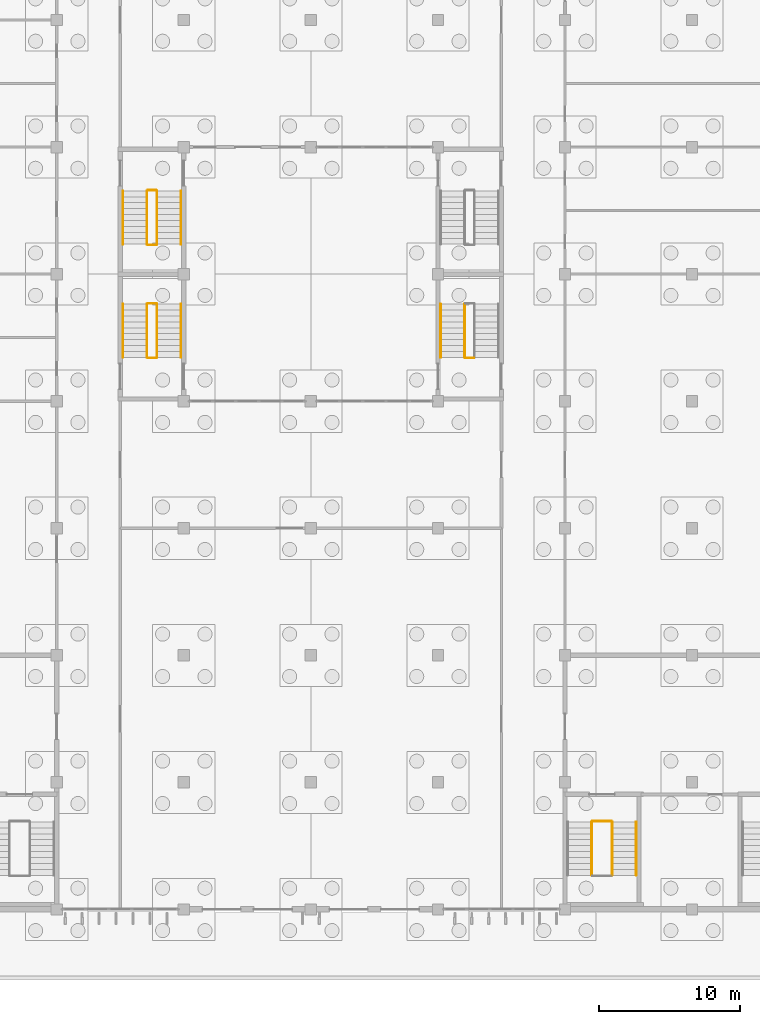
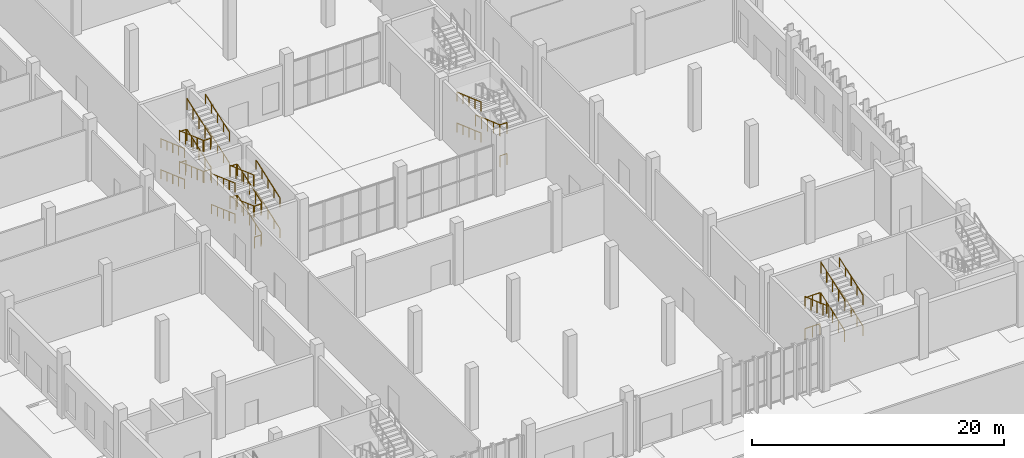
# One storey, part 138 of 198: 36 railings.
"""IFC4 building model written with IfcOpenShell, lengths in metres."""

from ifc_helpers import new_model, si_unit, direction, frame, origin, origin_2d, place, context, subcontext, project, spatial, circle, extrude, material, constituent, constituent_set, type_object, element, save


model = new_model("IFC4")

# Units and contexts
model_context = context("Model", 3, precision=1e-05, world=origin(), true_north=direction((0.0, 1.0)))
body_context = subcontext(model_context, "Body", "Model", "MODEL_VIEW")
ifc_project = project(units=[si_unit("LENGTHUNIT", "METRE"), si_unit("AREAUNIT", "SQUARE_METRE"), si_unit("VOLUMEUNIT", "CUBIC_METRE"), si_unit("PLANEANGLEUNIT", "RADIAN"), si_unit("MASSUNIT", "GRAM", prefix="KILO")], contexts=[model_context])

# Site, building, storey
site_placement = place(None, origin())
site = spatial("IfcSite", under=ifc_project, at=site_placement, CompositionType="ELEMENT")
building_placement = place(site_placement, origin())
building = spatial("IfcBuilding", under=site, at=building_placement, Name="Opaline Strait Convention Centre", CompositionType="ELEMENT")
storey_placement = place(building_placement, origin())
storey = spatial("IfcBuildingStorey", under=building, at=storey_placement, Name="L00", CompositionType="ELEMENT", Elevation=0.0)

# Railings
ifc_material_1 = material(Name="Steel Q235B", Category="steel")
ifc_constituent_1 = constituent(ifc_material_1, Name="Frame")
ifc_material_2 = material(Name="Safety glass, bonded interlayer", Category="glass")
ifc_constituent_2 = constituent(ifc_material_2, Name="Infill")
ifc_constituent_set = constituent_set(constituents=[ifc_constituent_1, ifc_constituent_2], Name="Steel Q235B, Safety glass, bonded interlayer")
railing_type_1 = type_object("IfcRailingType", Name="Stair guard 1100 Q235B and glass", PredefinedType="GUARDRAIL", material=ifc_constituent_set)
railing_1_placement = place(storey_placement, frame((66.35009765625, 11.419921875, 1.64990234375)))
element("IfcRailing", 1, at=railing_1_placement, inside=storey, type_object=railing_type_1, Name="L00 SEB stair guard 3", PredefinedType="GUARDRAIL", context=body_context, shape_type="SweptSolid", body=[
    extrude(circle(Radius=0.02392578125, at=origin_2d()), frame((0.0, 0.0, 1.076171875), z_axis=(0.0, 0.941735030876, 0.336355662388), x_axis=(-1.0, 0.0, 0.0)), (0.0, 0.0, 1.0), 4.013916015625),
    extrude(circle(Radius=0.02099609375, at=origin_2d()), origin(), (0.0, 0.0, 1.0), 1.052001953125),
    extrude(circle(Radius=0.02099609375, at=origin_2d()), frame((0.0, 0.945068359375, 0.33740234375)), (0.0, 0.0, 1.0), 1.052001953125),
    extrude(circle(Radius=0.02099609375, at=origin_2d()), frame((0.0, 1.89013671875, 0.675048828125)), (0.0, 0.0, 1.0), 1.052001953125),
    extrude(circle(Radius=0.02099609375, at=origin_2d()), frame((0.0, 2.8349609375, 1.0126953125)), (0.0, 0.0, 1.0), 1.052001953125),
    extrude(circle(Radius=0.02099609375, at=origin_2d()), frame((0.0, 3.780029296875, 1.35009765625)), (0.0, 0.0, 1.0), 1.052001953125),
])
railing_2_placement = place(storey_placement, frame((64.949951171875, 15.25, 3.0)))
element("IfcRailing", 2, at=railing_2_placement, inside=storey, type_object=railing_type_1, Name="L00 SEB stair guard 4", PredefinedType="GUARDRAIL", context=body_context, shape_type="SweptSolid", body=[
    extrude(circle(Radius=0.02392578125, at=origin_2d()), frame((0.0, 0.0, 1.076171875), z_axis=(1.0, 0.0, 0.0), x_axis=(0.0, 1.0, 0.0)), (0.0, 0.0, 1.0), 1.35009765625),
    extrude(circle(Radius=0.02099609375, at=origin_2d()), origin(), (0.0, 0.0, 1.0), 1.052001953125),
    extrude(circle(Radius=0.02099609375, at=origin_2d()), frame((0.675048828125, 0.0, 0.0)), (0.0, 0.0, 1.0), 1.052001953125),
    extrude(circle(Radius=0.02099609375, at=origin_2d()), frame((1.35009765625, 0.0, 0.0)), (0.0, 0.0, 1.0), 1.052001953125),
])
railing_3_placement = place(storey_placement, frame((64.89990234375, 15.199951171875, 3.14990234375)))
element("IfcRailing", 3, at=railing_3_placement, inside=storey, type_object=railing_type_1, Name="L00 SEB stair guard 5", PredefinedType="GUARDRAIL", context=body_context, shape_type="SweptSolid", body=[
    extrude(circle(Radius=0.02392578125, at=origin_2d()), frame((0.0, 0.0, 1.076171875), z_axis=(0.0, -0.941735030876, 0.336355662388), x_axis=(1.0, 0.0, 0.0)), (0.0, 0.0, 1.0), 4.013916015625),
    extrude(circle(Radius=0.02099609375, at=origin_2d()), origin(), (0.0, 0.0, 1.0), 1.052001953125),
    extrude(circle(Radius=0.02099609375, at=origin_2d()), frame((0.0, -0.945068359375, 0.33740234375)), (0.0, 0.0, 1.0), 1.052001953125),
    extrude(circle(Radius=0.02099609375, at=origin_2d()), frame((0.0, -1.89013671875, 0.675048828125)), (0.0, 0.0, 1.0), 1.052001953125),
    extrude(circle(Radius=0.02099609375, at=origin_2d()), frame((0.0, -2.8349609375, 1.0126953125)), (0.0, 0.0, 1.0), 1.052001953125),
    extrude(circle(Radius=0.02099609375, at=origin_2d()), frame((0.0, -3.780029296875, 1.35009765625)), (0.0, 0.0, 1.0), 1.052001953125),
])
railing_4_placement = place(storey_placement, frame((66.35009765625, 11.419921875, 4.64990234375)))
element("IfcRailing", 4, at=railing_4_placement, inside=storey, type_object=railing_type_1, Name="L00 SEB stair guard 7", PredefinedType="GUARDRAIL", context=body_context, shape_type="SweptSolid", body=[
    extrude(circle(Radius=0.02392578125, at=origin_2d()), frame((0.0, 0.0, 1.076171875), z_axis=(0.0, 0.941735030876, 0.336355662388), x_axis=(-1.0, 0.0, 0.0)), (0.0, 0.0, 1.0), 4.013916015625),
    extrude(circle(Radius=0.02099609375, at=origin_2d()), origin(), (0.0, 0.0, 1.0), 1.052001953125),
    extrude(circle(Radius=0.02099609375, at=origin_2d()), frame((0.0, 0.945068359375, 0.33740234375)), (0.0, 0.0, 1.0), 1.052001953125),
    extrude(circle(Radius=0.02099609375, at=origin_2d()), frame((0.0, 1.89013671875, 0.675048828125)), (0.0, 0.0, 1.0), 1.052001953125),
    extrude(circle(Radius=0.02099609375, at=origin_2d()), frame((0.0, 2.8349609375, 1.0126953125)), (0.0, 0.0, 1.0), 1.052001953125),
    extrude(circle(Radius=0.02099609375, at=origin_2d()), frame((0.0, 3.780029296875, 1.35009765625)), (0.0, 0.0, 1.0), 1.052001953125),
])
railing_5_placement = place(storey_placement, frame((64.949951171875, 15.25, 0.0)))
element("IfcRailing", 5, at=railing_5_placement, inside=storey, type_object=railing_type_1, Name="L00 SEB stair guard 8", PredefinedType="GUARDRAIL", context=body_context, shape_type="SweptSolid", body=[
    extrude(circle(Radius=0.02392578125, at=origin_2d()), frame((0.0, 0.0, 1.076171875), z_axis=(1.0, 0.0, 0.0), x_axis=(0.0, 1.0, 0.0)), (0.0, 0.0, 1.0), 1.35009765625),
    extrude(circle(Radius=0.02099609375, at=origin_2d()), origin(), (0.0, 0.0, 1.0), 1.052001953125),
    extrude(circle(Radius=0.02099609375, at=origin_2d()), frame((0.675048828125, 0.0, 0.0)), (0.0, 0.0, 1.0), 1.052001953125),
    extrude(circle(Radius=0.02099609375, at=origin_2d()), frame((1.35009765625, 0.0, 0.0)), (0.0, 0.0, 1.0), 1.052001953125),
])
railing_6_placement = place(storey_placement, frame((55.89990234375, 51.8798828125, 1.64990234375)))
element("IfcRailing", 6, at=railing_6_placement, inside=storey, type_object=railing_type_1, Name="L00 ME1 stair guard 3", PredefinedType="GUARDRAIL", context=body_context, shape_type="SweptSolid", body=[
    extrude(circle(Radius=0.02392578125, at=origin_2d()), frame((0.0, 0.0, 1.076171875), z_axis=(0.0, -0.941728148976, 0.336374929843), x_axis=(1.0, 0.0, 0.0)), (0.0, 0.0, 1.0), 4.013671875),
    extrude(circle(Radius=0.02099609375, at=origin_2d()), origin(), (0.0, 0.0, 1.0), 1.052001953125),
    extrude(circle(Radius=0.02099609375, at=origin_2d()), frame((0.0, -0.94482421875, 0.33740234375)), (0.0, 0.0, 1.0), 1.052001953125),
    extrude(circle(Radius=0.02099609375, at=origin_2d()), frame((0.0, -1.889892578125, 0.675048828125)), (0.0, 0.0, 1.0), 1.052001953125),
    extrude(circle(Radius=0.02099609375, at=origin_2d()), frame((0.0, -2.8349609375, 1.0126953125)), (0.0, 0.0, 1.0), 1.052001953125),
    extrude(circle(Radius=0.02099609375, at=origin_2d()), frame((0.0, -3.77978515625, 1.35009765625)), (0.0, 0.0, 1.0), 1.052001953125),
])
for number, where, name in (
    (7, (56.550048828125, 48.050048828125, 3.0), "L00 ME1 stair guard 4"),
    (8, (56.550048828125, 48.050048828125, 0.0), "L00 ME1 stair guard 8"),
):
    element("IfcRailing", number, at=place(storey_placement, frame(where)), inside=storey, type_object=railing_type_1, Name=name, PredefinedType="GUARDRAIL", context=body_context, shape_type="SweptSolid", body=[
        extrude(circle(Radius=0.02392578125, at=origin_2d()), frame((0.0, 0.0, 1.076171875), z_axis=(-1.0, 0.0, 0.0), x_axis=(0.0, -1.0, 0.0)), (0.0, 0.0, 1.0), 0.60009765625),
        extrude(circle(Radius=0.02099609375, at=origin_2d()), origin(), (0.0, 0.0, 1.0), 1.052001953125),
        extrude(circle(Radius=0.02099609375, at=origin_2d()), frame((-0.60009765625, 0.0, 0.0)), (0.0, 0.0, 1.0), 1.052001953125),
    ])
railing_7_placement = place(storey_placement, frame((34.10009765625, 48.10009765625, 0.14990234375)))
element("IfcRailing", 9, at=railing_7_placement, inside=storey, type_object=railing_type_1, Name="L00 MW1 stair guard 1", PredefinedType="GUARDRAIL", context=body_context, shape_type="SweptSolid", body=[
    extrude(circle(Radius=0.02392578125, at=origin_2d()), frame((0.0, 0.0, 1.076171875), z_axis=(0.0, 0.941728148976, 0.336374929843), x_axis=(-1.0, 0.0, 0.0)), (0.0, 0.0, 1.0), 4.013671875),
    extrude(circle(Radius=0.02099609375, at=origin_2d()), origin(), (0.0, 0.0, 1.0), 1.052001953125),
    extrude(circle(Radius=0.02099609375, at=origin_2d()), frame((0.0, 0.94482421875, 0.33740234375)), (0.0, 0.0, 1.0), 1.052001953125),
    extrude(circle(Radius=0.02099609375, at=origin_2d()), frame((0.0, 1.889892578125, 0.675048828125)), (0.0, 0.0, 1.0), 1.052001953125),
    extrude(circle(Radius=0.02099609375, at=origin_2d()), frame((0.0, 2.8349609375, 1.0126953125)), (0.0, 0.0, 1.0), 1.052001953125),
    extrude(circle(Radius=0.02099609375, at=origin_2d()), frame((0.0, 3.77978515625, 1.35009765625)), (0.0, 0.0, 1.0), 1.052001953125),
])
railing_8_placement = place(storey_placement, frame((34.050048828125, 51.929931640625, 1.5)))
element("IfcRailing", 10, at=railing_8_placement, inside=storey, type_object=railing_type_1, Name="L00 MW1 stair guard 2", PredefinedType="GUARDRAIL", context=body_context, shape_type="SweptSolid", body=[
    extrude(circle(Radius=0.02392578125, at=origin_2d()), frame((0.0, 0.0, 1.076171875), z_axis=(-1.0, 0.0, 0.0), x_axis=(0.0, -1.0, 0.0)), (0.0, 0.0, 1.0), 0.60009765625),
    extrude(circle(Radius=0.02099609375, at=origin_2d()), origin(), (0.0, 0.0, 1.0), 1.052001953125),
    extrude(circle(Radius=0.02099609375, at=origin_2d()), frame((-0.60009765625, 0.0, 0.0)), (0.0, 0.0, 1.0), 1.052001953125),
])
railing_9_placement = place(storey_placement, frame((33.39990234375, 51.8798828125, 1.64990234375)))
element("IfcRailing", 11, at=railing_9_placement, inside=storey, type_object=railing_type_1, Name="L00 MW1 stair guard 3", PredefinedType="GUARDRAIL", context=body_context, shape_type="SweptSolid", body=[
    extrude(circle(Radius=0.02392578125, at=origin_2d()), frame((0.0, 0.0, 1.076171875), z_axis=(0.0, -0.941728148976, 0.336374929843), x_axis=(1.0, 0.0, 0.0)), (0.0, 0.0, 1.0), 4.013671875),
    extrude(circle(Radius=0.02099609375, at=origin_2d()), origin(), (0.0, 0.0, 1.0), 1.052001953125),
    extrude(circle(Radius=0.02099609375, at=origin_2d()), frame((0.0, -0.94482421875, 0.33740234375)), (0.0, 0.0, 1.0), 1.052001953125),
    extrude(circle(Radius=0.02099609375, at=origin_2d()), frame((0.0, -1.889892578125, 0.675048828125)), (0.0, 0.0, 1.0), 1.052001953125),
    extrude(circle(Radius=0.02099609375, at=origin_2d()), frame((0.0, -2.8349609375, 1.0126953125)), (0.0, 0.0, 1.0), 1.052001953125),
    extrude(circle(Radius=0.02099609375, at=origin_2d()), frame((0.0, -3.77978515625, 1.35009765625)), (0.0, 0.0, 1.0), 1.052001953125),
])
railing_10_placement = place(storey_placement, frame((34.050048828125, 48.050048828125, 3.0)))
element("IfcRailing", 12, at=railing_10_placement, inside=storey, type_object=railing_type_1, Name="L00 MW1 stair guard 4", PredefinedType="GUARDRAIL", context=body_context, shape_type="SweptSolid", body=[
    extrude(circle(Radius=0.02392578125, at=origin_2d()), frame((0.0, 0.0, 1.076171875), z_axis=(-1.0, 0.0, 0.0), x_axis=(0.0, -1.0, 0.0)), (0.0, 0.0, 1.0), 0.60009765625),
    extrude(circle(Radius=0.02099609375, at=origin_2d()), origin(), (0.0, 0.0, 1.0), 1.052001953125),
    extrude(circle(Radius=0.02099609375, at=origin_2d()), frame((-0.60009765625, 0.0, 0.0)), (0.0, 0.0, 1.0), 1.052001953125),
])
railing_11_placement = place(storey_placement, frame((34.10009765625, 48.10009765625, 3.14990234375)))
element("IfcRailing", 13, at=railing_11_placement, inside=storey, type_object=railing_type_1, Name="L00 MW1 stair guard 5", PredefinedType="GUARDRAIL", context=body_context, shape_type="SweptSolid", body=[
    extrude(circle(Radius=0.02392578125, at=origin_2d()), frame((0.0, 0.0, 1.076171875), z_axis=(0.0, 0.941728148976, 0.336374929843), x_axis=(-1.0, 0.0, 0.0)), (0.0, 0.0, 1.0), 4.013671875),
    extrude(circle(Radius=0.02099609375, at=origin_2d()), origin(), (0.0, 0.0, 1.0), 1.052001953125),
    extrude(circle(Radius=0.02099609375, at=origin_2d()), frame((0.0, 0.94482421875, 0.33740234375)), (0.0, 0.0, 1.0), 1.052001953125),
    extrude(circle(Radius=0.02099609375, at=origin_2d()), frame((0.0, 1.889892578125, 0.675048828125)), (0.0, 0.0, 1.0), 1.052001953125),
    extrude(circle(Radius=0.02099609375, at=origin_2d()), frame((0.0, 2.8349609375, 1.0126953125)), (0.0, 0.0, 1.0), 1.052001953125),
    extrude(circle(Radius=0.02099609375, at=origin_2d()), frame((0.0, 3.77978515625, 1.35009765625)), (0.0, 0.0, 1.0), 1.052001953125),
])
railing_12_placement = place(storey_placement, frame((34.050048828125, 51.929931640625, 4.5)))
element("IfcRailing", 14, at=railing_12_placement, inside=storey, type_object=railing_type_1, Name="L00 MW1 stair guard 6", PredefinedType="GUARDRAIL", context=body_context, shape_type="SweptSolid", body=[
    extrude(circle(Radius=0.02392578125, at=origin_2d()), frame((0.0, 0.0, 1.076171875), z_axis=(-1.0, 0.0, 0.0), x_axis=(0.0, -1.0, 0.0)), (0.0, 0.0, 1.0), 0.60009765625),
    extrude(circle(Radius=0.02099609375, at=origin_2d()), origin(), (0.0, 0.0, 1.0), 1.052001953125),
    extrude(circle(Radius=0.02099609375, at=origin_2d()), frame((-0.60009765625, 0.0, 0.0)), (0.0, 0.0, 1.0), 1.052001953125),
])
railing_13_placement = place(storey_placement, frame((33.39990234375, 51.8798828125, 4.64990234375)))
element("IfcRailing", 15, at=railing_13_placement, inside=storey, type_object=railing_type_1, Name="L00 MW1 stair guard 7", PredefinedType="GUARDRAIL", context=body_context, shape_type="SweptSolid", body=[
    extrude(circle(Radius=0.02392578125, at=origin_2d()), frame((0.0, 0.0, 1.076171875), z_axis=(0.0, -0.941728148976, 0.336374929843), x_axis=(1.0, 0.0, 0.0)), (0.0, 0.0, 1.0), 4.013671875),
    extrude(circle(Radius=0.02099609375, at=origin_2d()), origin(), (0.0, 0.0, 1.0), 1.052001953125),
    extrude(circle(Radius=0.02099609375, at=origin_2d()), frame((0.0, -0.94482421875, 0.33740234375)), (0.0, 0.0, 1.0), 1.052001953125),
    extrude(circle(Radius=0.02099609375, at=origin_2d()), frame((0.0, -1.889892578125, 0.675048828125)), (0.0, 0.0, 1.0), 1.052001953125),
    extrude(circle(Radius=0.02099609375, at=origin_2d()), frame((0.0, -2.8349609375, 1.0126953125)), (0.0, 0.0, 1.0), 1.052001953125),
    extrude(circle(Radius=0.02099609375, at=origin_2d()), frame((0.0, -3.77978515625, 1.35009765625)), (0.0, 0.0, 1.0), 1.052001953125),
])
railing_14_placement = place(storey_placement, frame((34.050048828125, 48.050048828125, 0.0)))
element("IfcRailing", 16, at=railing_14_placement, inside=storey, type_object=railing_type_1, Name="L00 MW1 stair guard 8", PredefinedType="GUARDRAIL", context=body_context, shape_type="SweptSolid", body=[
    extrude(circle(Radius=0.02392578125, at=origin_2d()), frame((0.0, 0.0, 1.076171875), z_axis=(-1.0, 0.0, 0.0), x_axis=(0.0, -1.0, 0.0)), (0.0, 0.0, 1.0), 0.60009765625),
    extrude(circle(Radius=0.02099609375, at=origin_2d()), origin(), (0.0, 0.0, 1.0), 1.052001953125),
    extrude(circle(Radius=0.02099609375, at=origin_2d()), frame((-0.60009765625, 0.0, 0.0)), (0.0, 0.0, 1.0), 1.052001953125),
])
railing_15_placement = place(storey_placement, frame((33.39990234375, 59.89990234375, 0.14990234375)))
element("IfcRailing", 17, at=railing_15_placement, inside=storey, type_object=railing_type_1, Name="L00 MW2 stair guard 1", PredefinedType="GUARDRAIL", context=body_context, shape_type="SweptSolid", body=[
    extrude(circle(Radius=0.02392578125, at=origin_2d()), frame((0.0, 0.0, 1.076171875), z_axis=(0.0, -0.941728148976, 0.336374929843), x_axis=(1.0, 0.0, 0.0)), (0.0, 0.0, 1.0), 4.013671875),
    extrude(circle(Radius=0.02099609375, at=origin_2d()), origin(), (0.0, 0.0, 1.0), 1.052001953125),
    extrude(circle(Radius=0.02099609375, at=origin_2d()), frame((0.0, -0.94482421875, 0.33740234375)), (0.0, 0.0, 1.0), 1.052001953125),
    extrude(circle(Radius=0.02099609375, at=origin_2d()), frame((0.0, -1.889892578125, 0.675048828125)), (0.0, 0.0, 1.0), 1.052001953125),
    extrude(circle(Radius=0.02099609375, at=origin_2d()), frame((0.0, -2.8349609375, 1.0126953125)), (0.0, 0.0, 1.0), 1.052001953125),
    extrude(circle(Radius=0.02099609375, at=origin_2d()), frame((0.0, -3.77978515625, 1.35009765625)), (0.0, 0.0, 1.0), 1.052001953125),
])
railing_16_placement = place(storey_placement, frame((33.449951171875, 56.070068359375, 1.5)))
element("IfcRailing", 18, at=railing_16_placement, inside=storey, type_object=railing_type_1, Name="L00 MW2 stair guard 2", PredefinedType="GUARDRAIL", context=body_context, shape_type="SweptSolid", body=[
    extrude(circle(Radius=0.02392578125, at=origin_2d()), frame((0.0, 0.0, 1.076171875), z_axis=(1.0, 0.0, 0.0), x_axis=(0.0, 1.0, 0.0)), (0.0, 0.0, 1.0), 0.60009765625),
    extrude(circle(Radius=0.02099609375, at=origin_2d()), origin(), (0.0, 0.0, 1.0), 1.052001953125),
    extrude(circle(Radius=0.02099609375, at=origin_2d()), frame((0.60009765625, 0.0, 0.0)), (0.0, 0.0, 1.0), 1.052001953125),
])
railing_17_placement = place(storey_placement, frame((34.10009765625, 56.1201171875, 1.64990234375)))
element("IfcRailing", 19, at=railing_17_placement, inside=storey, type_object=railing_type_1, Name="L00 MW2 stair guard 3", PredefinedType="GUARDRAIL", context=body_context, shape_type="SweptSolid", body=[
    extrude(circle(Radius=0.02392578125, at=origin_2d()), frame((0.0, 0.0, 1.076171875), z_axis=(0.0, 0.941728148976, 0.336374929843), x_axis=(-1.0, 0.0, 0.0)), (0.0, 0.0, 1.0), 4.013671875),
    extrude(circle(Radius=0.02099609375, at=origin_2d()), origin(), (0.0, 0.0, 1.0), 1.052001953125),
    extrude(circle(Radius=0.02099609375, at=origin_2d()), frame((0.0, 0.94482421875, 0.33740234375)), (0.0, 0.0, 1.0), 1.052001953125),
    extrude(circle(Radius=0.02099609375, at=origin_2d()), frame((0.0, 1.889892578125, 0.675048828125)), (0.0, 0.0, 1.0), 1.052001953125),
    extrude(circle(Radius=0.02099609375, at=origin_2d()), frame((0.0, 2.8349609375, 1.0126953125)), (0.0, 0.0, 1.0), 1.052001953125),
    extrude(circle(Radius=0.02099609375, at=origin_2d()), frame((0.0, 3.77978515625, 1.35009765625)), (0.0, 0.0, 1.0), 1.052001953125),
])
railing_18_placement = place(storey_placement, frame((33.449951171875, 59.949951171875, 3.0)))
element("IfcRailing", 20, at=railing_18_placement, inside=storey, type_object=railing_type_1, Name="L00 MW2 stair guard 4", PredefinedType="GUARDRAIL", context=body_context, shape_type="SweptSolid", body=[
    extrude(circle(Radius=0.02392578125, at=origin_2d()), frame((0.0, 0.0, 1.076171875), z_axis=(1.0, 0.0, 0.0), x_axis=(0.0, 1.0, 0.0)), (0.0, 0.0, 1.0), 0.60009765625),
    extrude(circle(Radius=0.02099609375, at=origin_2d()), origin(), (0.0, 0.0, 1.0), 1.052001953125),
    extrude(circle(Radius=0.02099609375, at=origin_2d()), frame((0.60009765625, 0.0, 0.0)), (0.0, 0.0, 1.0), 1.052001953125),
])
railing_19_placement = place(storey_placement, frame((33.39990234375, 59.89990234375, 3.14990234375)))
element("IfcRailing", 21, at=railing_19_placement, inside=storey, type_object=railing_type_1, Name="L00 MW2 stair guard 5", PredefinedType="GUARDRAIL", context=body_context, shape_type="SweptSolid", body=[
    extrude(circle(Radius=0.02392578125, at=origin_2d()), frame((0.0, 0.0, 1.076171875), z_axis=(0.0, -0.941728148976, 0.336374929843), x_axis=(1.0, 0.0, 0.0)), (0.0, 0.0, 1.0), 4.013671875),
    extrude(circle(Radius=0.02099609375, at=origin_2d()), origin(), (0.0, 0.0, 1.0), 1.052001953125),
    extrude(circle(Radius=0.02099609375, at=origin_2d()), frame((0.0, -0.94482421875, 0.33740234375)), (0.0, 0.0, 1.0), 1.052001953125),
    extrude(circle(Radius=0.02099609375, at=origin_2d()), frame((0.0, -1.889892578125, 0.675048828125)), (0.0, 0.0, 1.0), 1.052001953125),
    extrude(circle(Radius=0.02099609375, at=origin_2d()), frame((0.0, -2.8349609375, 1.0126953125)), (0.0, 0.0, 1.0), 1.052001953125),
    extrude(circle(Radius=0.02099609375, at=origin_2d()), frame((0.0, -3.77978515625, 1.35009765625)), (0.0, 0.0, 1.0), 1.052001953125),
])
railing_20_placement = place(storey_placement, frame((33.449951171875, 56.070068359375, 4.5)))
element("IfcRailing", 22, at=railing_20_placement, inside=storey, type_object=railing_type_1, Name="L00 MW2 stair guard 6", PredefinedType="GUARDRAIL", context=body_context, shape_type="SweptSolid", body=[
    extrude(circle(Radius=0.02392578125, at=origin_2d()), frame((0.0, 0.0, 1.076171875), z_axis=(1.0, 0.0, 0.0), x_axis=(0.0, 1.0, 0.0)), (0.0, 0.0, 1.0), 0.60009765625),
    extrude(circle(Radius=0.02099609375, at=origin_2d()), origin(), (0.0, 0.0, 1.0), 1.052001953125),
    extrude(circle(Radius=0.02099609375, at=origin_2d()), frame((0.60009765625, 0.0, 0.0)), (0.0, 0.0, 1.0), 1.052001953125),
])
railing_21_placement = place(storey_placement, frame((34.10009765625, 56.1201171875, 4.64990234375)))
element("IfcRailing", 23, at=railing_21_placement, inside=storey, type_object=railing_type_1, Name="L00 MW2 stair guard 7", PredefinedType="GUARDRAIL", context=body_context, shape_type="SweptSolid", body=[
    extrude(circle(Radius=0.02392578125, at=origin_2d()), frame((0.0, 0.0, 1.076171875), z_axis=(0.0, 0.941728148976, 0.336374929843), x_axis=(-1.0, 0.0, 0.0)), (0.0, 0.0, 1.0), 4.013671875),
    extrude(circle(Radius=0.02099609375, at=origin_2d()), origin(), (0.0, 0.0, 1.0), 1.052001953125),
    extrude(circle(Radius=0.02099609375, at=origin_2d()), frame((0.0, 0.94482421875, 0.33740234375)), (0.0, 0.0, 1.0), 1.052001953125),
    extrude(circle(Radius=0.02099609375, at=origin_2d()), frame((0.0, 1.889892578125, 0.675048828125)), (0.0, 0.0, 1.0), 1.052001953125),
    extrude(circle(Radius=0.02099609375, at=origin_2d()), frame((0.0, 2.8349609375, 1.0126953125)), (0.0, 0.0, 1.0), 1.052001953125),
    extrude(circle(Radius=0.02099609375, at=origin_2d()), frame((0.0, 3.77978515625, 1.35009765625)), (0.0, 0.0, 1.0), 1.052001953125),
])
railing_22_placement = place(storey_placement, frame((33.449951171875, 59.949951171875, 0.0)))
element("IfcRailing", 24, at=railing_22_placement, inside=storey, type_object=railing_type_1, Name="L00 MW2 stair guard 8", PredefinedType="GUARDRAIL", context=body_context, shape_type="SweptSolid", body=[
    extrude(circle(Radius=0.02392578125, at=origin_2d()), frame((0.0, 0.0, 1.076171875), z_axis=(1.0, 0.0, 0.0), x_axis=(0.0, 1.0, 0.0)), (0.0, 0.0, 1.0), 0.60009765625),
    extrude(circle(Radius=0.02099609375, at=origin_2d()), origin(), (0.0, 0.0, 1.0), 1.052001953125),
    extrude(circle(Radius=0.02099609375, at=origin_2d()), frame((0.60009765625, 0.0, 0.0)), (0.0, 0.0, 1.0), 1.052001953125),
])
ifc_material_3 = material(Name="Stainless steel 304", Category="steel")
railing_type_2 = type_object("IfcRailingType", Name="Stair handrail 900 stainless 304", PredefinedType="HANDRAIL", material=ifc_material_3)
for number, where, name in (
    (25, (68.050048828125, 11.419921875, 1.64990234375), "L00 SEB stair handrail 2"),
    (26, (68.050048828125, 11.419921875, 4.64990234375), "L00 SEB stair handrail 4"),
):
    element("IfcRailing", number, at=place(storey_placement, frame(where)), inside=storey, type_object=railing_type_2, Name=name, PredefinedType="HANDRAIL", context=body_context, shape_type="SweptSolid", body=[
        extrude(circle(Radius=0.02392578125, at=origin_2d()), frame((0.0, 0.0, 0.8759765625), z_axis=(0.0, 0.941735030876, 0.336355662388), x_axis=(-1.0, 0.0, 0.0)), (0.0, 0.0, 1.0), 4.013916015625),
        extrude(circle(Radius=0.02099609375, at=origin_2d()), origin(), (0.0, 0.0, 1.0), 0.851806640625),
        extrude(circle(Radius=0.02099609375, at=origin_2d()), frame((0.0, 0.945068359375, 0.33740234375)), (0.0, 0.0, 1.0), 0.851806640625),
        extrude(circle(Radius=0.02099609375, at=origin_2d()), frame((0.0, 1.89013671875, 0.675048828125)), (0.0, 0.0, 1.0), 0.851806640625),
        extrude(circle(Radius=0.02099609375, at=origin_2d()), frame((0.0, 2.8349609375, 1.0126953125)), (0.0, 0.0, 1.0), 0.851806640625),
        extrude(circle(Radius=0.02099609375, at=origin_2d()), frame((0.0, 3.780029296875, 1.35009765625)), (0.0, 0.0, 1.0), 0.851806640625),
    ])
for number, where, name in (
    (27, (54.199951171875, 51.8798828125, 1.64990234375), "L00 ME1 stair handrail 2"),
    (28, (54.199951171875, 51.8798828125, 4.64990234375), "L00 ME1 stair handrail 4"),
):
    element("IfcRailing", number, at=place(storey_placement, frame(where)), inside=storey, type_object=railing_type_2, Name=name, PredefinedType="HANDRAIL", context=body_context, shape_type="SweptSolid", body=[
        extrude(circle(Radius=0.02392578125, at=origin_2d()), frame((0.0, 0.0, 0.8759765625), z_axis=(0.0, -0.941728148976, 0.336374929843), x_axis=(1.0, 0.0, 0.0)), (0.0, 0.0, 1.0), 4.013671875),
        extrude(circle(Radius=0.02099609375, at=origin_2d()), origin(), (0.0, 0.0, 1.0), 0.851806640625),
        extrude(circle(Radius=0.02099609375, at=origin_2d()), frame((0.0, -0.94482421875, 0.33740234375)), (0.0, 0.0, 1.0), 0.851806640625),
        extrude(circle(Radius=0.02099609375, at=origin_2d()), frame((0.0, -1.889892578125, 0.675048828125)), (0.0, 0.0, 1.0), 0.851806640625),
        extrude(circle(Radius=0.02099609375, at=origin_2d()), frame((0.0, -2.8349609375, 1.0126953125)), (0.0, 0.0, 1.0), 0.851806640625),
        extrude(circle(Radius=0.02099609375, at=origin_2d()), frame((0.0, -3.77978515625, 1.35009765625)), (0.0, 0.0, 1.0), 0.851806640625),
    ])
railing_23_placement = place(storey_placement, frame((35.800048828125, 48.10009765625, 0.14990234375)))
element("IfcRailing", 29, at=railing_23_placement, inside=storey, type_object=railing_type_2, Name="L00 MW1 stair handrail 1", PredefinedType="HANDRAIL", context=body_context, shape_type="SweptSolid", body=[
    extrude(circle(Radius=0.02392578125, at=origin_2d()), frame((0.0, 0.0, 0.8759765625), z_axis=(0.0, 0.941728148976, 0.336374929843), x_axis=(-1.0, 0.0, 0.0)), (0.0, 0.0, 1.0), 4.013671875),
    extrude(circle(Radius=0.02099609375, at=origin_2d()), origin(), (0.0, 0.0, 1.0), 0.851806640625),
    extrude(circle(Radius=0.02099609375, at=origin_2d()), frame((0.0, 0.94482421875, 0.33740234375)), (0.0, 0.0, 1.0), 0.851806640625),
    extrude(circle(Radius=0.02099609375, at=origin_2d()), frame((0.0, 1.889892578125, 0.675048828125)), (0.0, 0.0, 1.0), 0.851806640625),
    extrude(circle(Radius=0.02099609375, at=origin_2d()), frame((0.0, 2.8349609375, 1.0126953125)), (0.0, 0.0, 1.0), 0.851806640625),
    extrude(circle(Radius=0.02099609375, at=origin_2d()), frame((0.0, 3.77978515625, 1.35009765625)), (0.0, 0.0, 1.0), 0.851806640625),
])
railing_24_placement = place(storey_placement, frame((31.699951171875, 51.8798828125, 1.64990234375)))
element("IfcRailing", 30, at=railing_24_placement, inside=storey, type_object=railing_type_2, Name="L00 MW1 stair handrail 2", PredefinedType="HANDRAIL", context=body_context, shape_type="SweptSolid", body=[
    extrude(circle(Radius=0.02392578125, at=origin_2d()), frame((0.0, 0.0, 0.8759765625), z_axis=(0.0, -0.941728148976, 0.336374929843), x_axis=(1.0, 0.0, 0.0)), (0.0, 0.0, 1.0), 4.013671875),
    extrude(circle(Radius=0.02099609375, at=origin_2d()), origin(), (0.0, 0.0, 1.0), 0.851806640625),
    extrude(circle(Radius=0.02099609375, at=origin_2d()), frame((0.0, -0.94482421875, 0.33740234375)), (0.0, 0.0, 1.0), 0.851806640625),
    extrude(circle(Radius=0.02099609375, at=origin_2d()), frame((0.0, -1.889892578125, 0.675048828125)), (0.0, 0.0, 1.0), 0.851806640625),
    extrude(circle(Radius=0.02099609375, at=origin_2d()), frame((0.0, -2.8349609375, 1.0126953125)), (0.0, 0.0, 1.0), 0.851806640625),
    extrude(circle(Radius=0.02099609375, at=origin_2d()), frame((0.0, -3.77978515625, 1.35009765625)), (0.0, 0.0, 1.0), 0.851806640625),
])
railing_25_placement = place(storey_placement, frame((35.800048828125, 48.10009765625, 3.14990234375)))
element("IfcRailing", 31, at=railing_25_placement, inside=storey, type_object=railing_type_2, Name="L00 MW1 stair handrail 3", PredefinedType="HANDRAIL", context=body_context, shape_type="SweptSolid", body=[
    extrude(circle(Radius=0.02392578125, at=origin_2d()), frame((0.0, 0.0, 0.8759765625), z_axis=(0.0, 0.941728148976, 0.336374929843), x_axis=(-1.0, 0.0, 0.0)), (0.0, 0.0, 1.0), 4.013671875),
    extrude(circle(Radius=0.02099609375, at=origin_2d()), origin(), (0.0, 0.0, 1.0), 0.851806640625),
    extrude(circle(Radius=0.02099609375, at=origin_2d()), frame((0.0, 0.94482421875, 0.33740234375)), (0.0, 0.0, 1.0), 0.851806640625),
    extrude(circle(Radius=0.02099609375, at=origin_2d()), frame((0.0, 1.889892578125, 0.675048828125)), (0.0, 0.0, 1.0), 0.851806640625),
    extrude(circle(Radius=0.02099609375, at=origin_2d()), frame((0.0, 2.8349609375, 1.0126953125)), (0.0, 0.0, 1.0), 0.851806640625),
    extrude(circle(Radius=0.02099609375, at=origin_2d()), frame((0.0, 3.77978515625, 1.35009765625)), (0.0, 0.0, 1.0), 0.851806640625),
])
for number, where, name in (
    (32, (31.699951171875, 51.8798828125, 4.64990234375), "L00 MW1 stair handrail 4"),
    (33, (31.699951171875, 59.89990234375, 0.14990234375), "L00 MW2 stair handrail 1"),
):
    element("IfcRailing", number, at=place(storey_placement, frame(where)), inside=storey, type_object=railing_type_2, Name=name, PredefinedType="HANDRAIL", context=body_context, shape_type="SweptSolid", body=[
        extrude(circle(Radius=0.02392578125, at=origin_2d()), frame((0.0, 0.0, 0.8759765625), z_axis=(0.0, -0.941728148976, 0.336374929843), x_axis=(1.0, 0.0, 0.0)), (0.0, 0.0, 1.0), 4.013671875),
        extrude(circle(Radius=0.02099609375, at=origin_2d()), origin(), (0.0, 0.0, 1.0), 0.851806640625),
        extrude(circle(Radius=0.02099609375, at=origin_2d()), frame((0.0, -0.94482421875, 0.33740234375)), (0.0, 0.0, 1.0), 0.851806640625),
        extrude(circle(Radius=0.02099609375, at=origin_2d()), frame((0.0, -1.889892578125, 0.675048828125)), (0.0, 0.0, 1.0), 0.851806640625),
        extrude(circle(Radius=0.02099609375, at=origin_2d()), frame((0.0, -2.8349609375, 1.0126953125)), (0.0, 0.0, 1.0), 0.851806640625),
        extrude(circle(Radius=0.02099609375, at=origin_2d()), frame((0.0, -3.77978515625, 1.35009765625)), (0.0, 0.0, 1.0), 0.851806640625),
    ])
railing_26_placement = place(storey_placement, frame((35.800048828125, 56.1201171875, 1.64990234375)))
element("IfcRailing", 34, at=railing_26_placement, inside=storey, type_object=railing_type_2, Name="L00 MW2 stair handrail 2", PredefinedType="HANDRAIL", context=body_context, shape_type="SweptSolid", body=[
    extrude(circle(Radius=0.02392578125, at=origin_2d()), frame((0.0, 0.0, 0.8759765625), z_axis=(0.0, 0.941728148976, 0.336374929843), x_axis=(-1.0, 0.0, 0.0)), (0.0, 0.0, 1.0), 4.013671875),
    extrude(circle(Radius=0.02099609375, at=origin_2d()), origin(), (0.0, 0.0, 1.0), 0.851806640625),
    extrude(circle(Radius=0.02099609375, at=origin_2d()), frame((0.0, 0.94482421875, 0.33740234375)), (0.0, 0.0, 1.0), 0.851806640625),
    extrude(circle(Radius=0.02099609375, at=origin_2d()), frame((0.0, 1.889892578125, 0.675048828125)), (0.0, 0.0, 1.0), 0.851806640625),
    extrude(circle(Radius=0.02099609375, at=origin_2d()), frame((0.0, 2.8349609375, 1.0126953125)), (0.0, 0.0, 1.0), 0.851806640625),
    extrude(circle(Radius=0.02099609375, at=origin_2d()), frame((0.0, 3.77978515625, 1.35009765625)), (0.0, 0.0, 1.0), 0.851806640625),
])
railing_27_placement = place(storey_placement, frame((31.699951171875, 59.89990234375, 3.14990234375)))
element("IfcRailing", 35, at=railing_27_placement, inside=storey, type_object=railing_type_2, Name="L00 MW2 stair handrail 3", PredefinedType="HANDRAIL", context=body_context, shape_type="SweptSolid", body=[
    extrude(circle(Radius=0.02392578125, at=origin_2d()), frame((0.0, 0.0, 0.8759765625), z_axis=(0.0, -0.941728148976, 0.336374929843), x_axis=(1.0, 0.0, 0.0)), (0.0, 0.0, 1.0), 4.013671875),
    extrude(circle(Radius=0.02099609375, at=origin_2d()), origin(), (0.0, 0.0, 1.0), 0.851806640625),
    extrude(circle(Radius=0.02099609375, at=origin_2d()), frame((0.0, -0.94482421875, 0.33740234375)), (0.0, 0.0, 1.0), 0.851806640625),
    extrude(circle(Radius=0.02099609375, at=origin_2d()), frame((0.0, -1.889892578125, 0.675048828125)), (0.0, 0.0, 1.0), 0.851806640625),
    extrude(circle(Radius=0.02099609375, at=origin_2d()), frame((0.0, -2.8349609375, 1.0126953125)), (0.0, 0.0, 1.0), 0.851806640625),
    extrude(circle(Radius=0.02099609375, at=origin_2d()), frame((0.0, -3.77978515625, 1.35009765625)), (0.0, 0.0, 1.0), 0.851806640625),
])
railing_28_placement = place(storey_placement, frame((35.800048828125, 56.1201171875, 4.64990234375)))
element("IfcRailing", 36, at=railing_28_placement, inside=storey, type_object=railing_type_2, Name="L00 MW2 stair handrail 4", PredefinedType="HANDRAIL", context=body_context, shape_type="SweptSolid", body=[
    extrude(circle(Radius=0.02392578125, at=origin_2d()), frame((0.0, 0.0, 0.8759765625), z_axis=(0.0, 0.941728148976, 0.336374929843), x_axis=(-1.0, 0.0, 0.0)), (0.0, 0.0, 1.0), 4.013671875),
    extrude(circle(Radius=0.02099609375, at=origin_2d()), origin(), (0.0, 0.0, 1.0), 0.851806640625),
    extrude(circle(Radius=0.02099609375, at=origin_2d()), frame((0.0, 0.94482421875, 0.33740234375)), (0.0, 0.0, 1.0), 0.851806640625),
    extrude(circle(Radius=0.02099609375, at=origin_2d()), frame((0.0, 1.889892578125, 0.675048828125)), (0.0, 0.0, 1.0), 0.851806640625),
    extrude(circle(Radius=0.02099609375, at=origin_2d()), frame((0.0, 2.8349609375, 1.0126953125)), (0.0, 0.0, 1.0), 0.851806640625),
    extrude(circle(Radius=0.02099609375, at=origin_2d()), frame((0.0, 3.77978515625, 1.35009765625)), (0.0, 0.0, 1.0), 0.851806640625),
])

save(model, "model.ifc")
